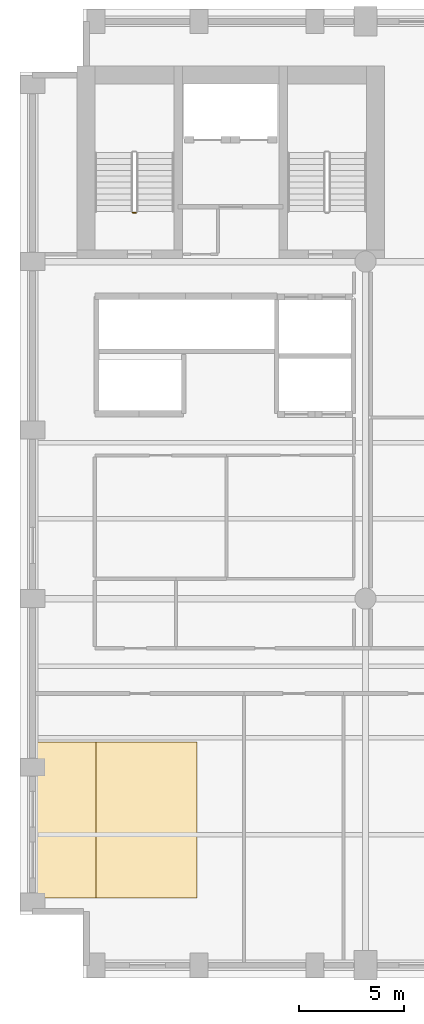
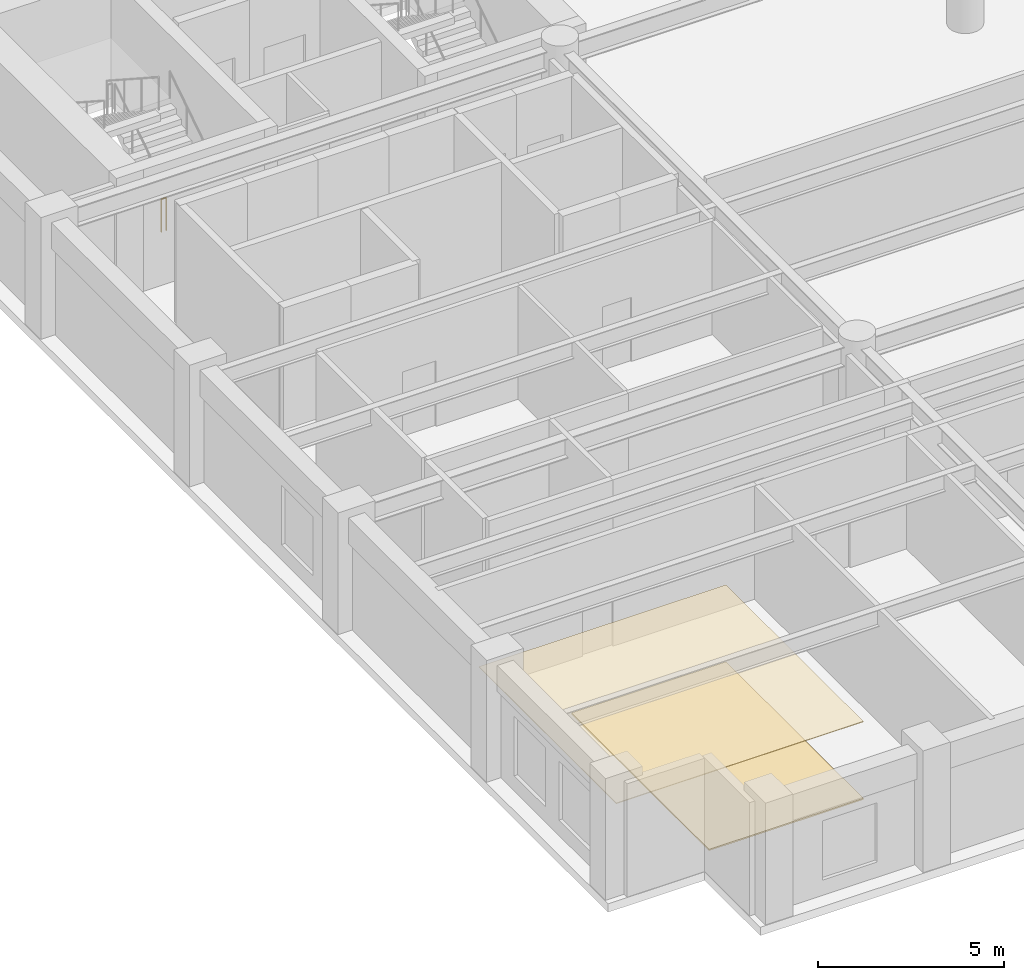
# One storey, part 7 of 9: 2 coverings, 1 railing.
"""IFC4 building model written with IfcOpenShell, lengths in metres."""

from ifc_helpers import new_model, si_unit, direction, frame, origin, origin_2d, place, context, subcontext, project, spatial, polyline, circle, outline, extrude, material, layer, layer_set, type_object, element, save


model = new_model("IFC4")

# Units and contexts
model_context = context("Model", 3, precision=1e-05, world=origin(), true_north=direction((0.0, 1.0)))
body_context = subcontext(model_context, "Body", "Model", "MODEL_VIEW")
ifc_project = project(units=[si_unit("LENGTHUNIT", "METRE"), si_unit("AREAUNIT", "SQUARE_METRE"), si_unit("VOLUMEUNIT", "CUBIC_METRE"), si_unit("PLANEANGLEUNIT", "RADIAN"), si_unit("MASSUNIT", "GRAM", prefix="KILO")], contexts=[model_context])

# Site, building, storey
site_placement = place(None, origin())
site = spatial("IfcSite", under=ifc_project, at=site_placement, CompositionType="ELEMENT")
building_placement = place(site_placement, origin())
building = spatial("IfcBuilding", under=site, at=building_placement, Name="Sulina Concourse Tower", CompositionType="ELEMENT")
storey_placement = place(building_placement, frame((0.0, 0.0, 120.60009765625)))
storey = spatial("IfcBuildingStorey", under=building, at=storey_placement, Name="L29", CompositionType="ELEMENT", Elevation=120.60009765625)

# Railing
ifc_material_1 = material(Name="Galvanised steel railing", Category="steel")
railing_type = type_object("IfcRailingType", Name="Core Stair Steel Guardrail 1150mm", PredefinedType="GUARDRAIL", material=ifc_material_1)
railing_placement = place(storey_placement, frame((5.5048828125, 36.324951171875, 0.0)))
element("IfcRailing", 1, at=railing_placement, inside=storey, type_object=railing_type, Name="L29 ST-1 stair guard 4", PredefinedType="GUARDRAIL", context=body_context, shape_type="SweptSolid", body=[
    extrude(circle(Radius=0.02392578125, at=origin_2d()), frame((0.0, 0.0, 1.076171875), z_axis=(-1.0, 0.0, 0.0), x_axis=(0.0, -1.0, 0.0)), (0.0, 0.0, 1.0), 0.14990234375),
    extrude(circle(Radius=0.02099609375, at=origin_2d()), origin(), (0.0, 0.0, 1.0), 1.052001953125),
    extrude(circle(Radius=0.02099609375, at=origin_2d()), frame((-0.14990234375, 0.0, 0.0)), (0.0, 0.0, 1.0), 1.052001953125),
])

# Coverings
ifc_material_2 = material(Name="Polished granite flooring", Category="masonry")
ifc_layer_1 = layer(ifc_material_2, 0.044921875)
ifc_layer_set_1 = layer_set([ifc_layer_1], Name="Polished granite flooring")
covering_type_1 = type_object("IfcCoveringType", Name="Polished Granite & Raised Access Flooring 45mm", PredefinedType="FLOORING", material=ifc_layer_set_1)
covering_1_placement = place(storey_placement, origin())
element("IfcCovering", 2, at=covering_1_placement, inside=storey, type_object=covering_type_1, Name="L29 raised access floor finish", PredefinedType="FLOORING", context=body_context, shape_type="SweptSolid", body=[
    extrude(outline(polyline([(3.60009765625, 3.800048828125), (8.39990234375, 3.800048828125), (8.39990234375, 11.199951171875), (3.60009765625, 11.199951171875), (3.60009765625, 3.800048828125)])), origin(), (0.0, 0.0, 1.0), 0.044921875),
])
ifc_material_3 = material(Name="Acoustic mineral ceiling board")
ifc_layer_2 = layer(ifc_material_3, 0.02490234375)
ifc_layer_set_2 = layer_set([ifc_layer_2], Name="Acoustic mineral ceiling board")
covering_type_2 = type_object("IfcCoveringType", Name="Suspended Acoustic Mineral Ceiling 25mm", PredefinedType="CEILING", material=ifc_layer_set_2)
covering_2_placement = place(storey_placement, frame((0.0, 0.0, 2.5498046875)))
element("IfcCovering", 3, at=covering_2_placement, inside=storey, type_object=covering_type_2, Name="L29 suspended acoustic tile ceiling", PredefinedType="CEILING", context=body_context, shape_type="SweptSolid", body=[
    extrude(outline(polyline([(0.719970703125, 3.800048828125), (8.39990234375, 3.800048828125), (8.39990234375, 11.199951171875), (0.719970703125, 11.199951171875), (0.719970703125, 3.800048828125)])), origin(), (0.0, 0.0, 1.0), 0.025146484375),
])

save(model, "model.ifc")
